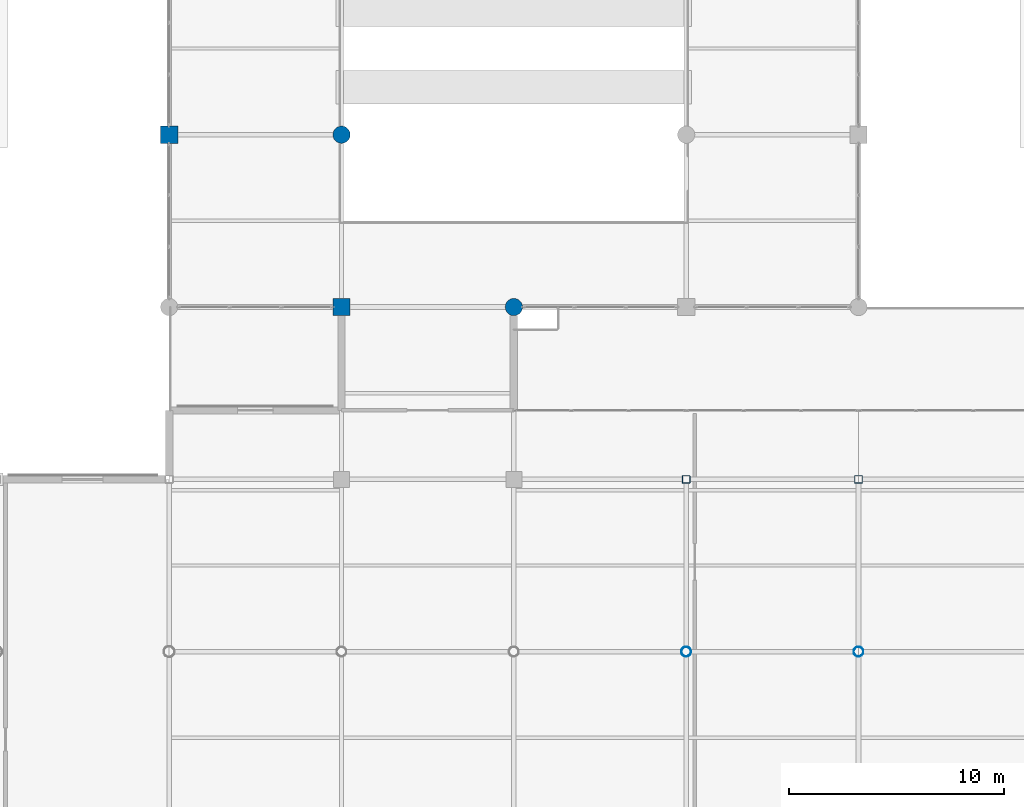
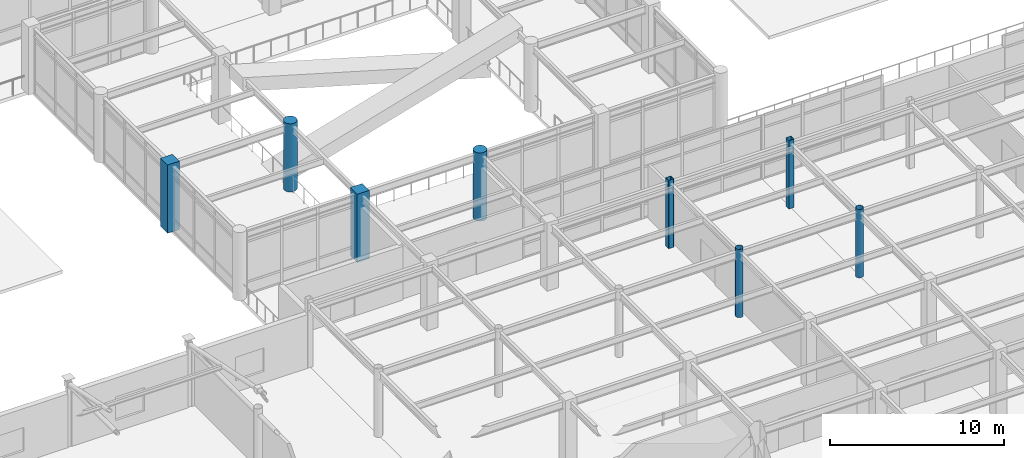
# One storey, part 8 of 117: 8 columns.
"""IFC4 building model written with IfcOpenShell, lengths in metres."""

from ifc_helpers import new_model, si_unit, direction, frame, origin, origin_2d, place, context, subcontext, project, spatial, rectangle, hollow_rectangle, circle, hollow_circle, extrude, material, material_profile, profile_set, type_object, element, save


model = new_model("IFC4")

# Units and contexts
model_context = context("Model", 3, precision=1e-05, world=origin(), true_north=direction((0.0, 1.0)))
body_context = subcontext(model_context, "Body", "Model", "MODEL_VIEW")
ifc_project = project(units=[si_unit("LENGTHUNIT", "METRE"), si_unit("AREAUNIT", "SQUARE_METRE"), si_unit("VOLUMEUNIT", "CUBIC_METRE"), si_unit("PLANEANGLEUNIT", "RADIAN"), si_unit("MASSUNIT", "GRAM", prefix="KILO")], contexts=[model_context])

# Site, building, storey
site_placement = place(None, origin())
site = spatial("IfcSite", under=ifc_project, at=site_placement, CompositionType="ELEMENT")
building_placement = place(site_placement, origin())
building = spatial("IfcBuilding", under=site, at=building_placement, Name="Solmirada Galleria", CompositionType="ELEMENT")
storey_placement = place(building_placement, frame((0.0, 0.0, 5.60009765625)))
storey = spatial("IfcBuildingStorey", under=building, at=storey_placement, Name="L01", CompositionType="ELEMENT", Elevation=5.60009765625)

# Columns
ifc_material_1 = material(Name="Steel S355 / ASTM A500 Grade C", Category="steel")
ifc_material_profile_1 = material_profile(ifc_material_1, hollow_circle(Radius=0.228515625, WallThickness=0.01171875, at=origin_2d()), Name="HSS18.000X0.500")
ifc_profile_set_1 = profile_set([ifc_material_profile_1], Name="Steel S355 / ASTM A500 Grade C")
column_type_1 = type_object("IfcColumnType", Name="COL-CHS18", PredefinedType="COLUMN", material=ifc_profile_set_1)
for number, where, z_axis, x_axis, name in (
    (1, (104.0, 32.0, 0.0), (0.0, 0.0, 1.0), (1.0, 0.0, 0.0), "Structural column L01-0725"),
    (2, (112.0, 32.0, 0.0), (0.0, 0.0, 1.0), (1.0, 0.0, 0.0), "Structural column L01-0836"),
):
    element("IfcColumn", number, at=place(storey_placement, frame(where, z_axis=z_axis, x_axis=x_axis)), inside=storey, type_object=column_type_1, Name=name, PredefinedType="COLUMN", context=body_context, shape_type="SweptSolid", body=[
        extrude(hollow_circle(Radius=0.228515625, WallThickness=0.01171875, at=origin_2d()), origin(), (0.0, 0.0, 1.0), 4.7998046875),
    ])
ifc_material_2 = material(Name="Concrete C40/50", Category="concrete")
ifc_material_profile_2 = material_profile(ifc_material_2, circle(Radius=0.39990234375, at=origin_2d()), Name="RCCOL800")
ifc_profile_set_2 = profile_set([ifc_material_profile_2], Name="Concrete C40/50")
column_type_2 = type_object("IfcColumnType", Name="COL-CIR800", PredefinedType="COLUMN", material=ifc_profile_set_2)
for number, where, z_axis, x_axis, name in (
    (3, (88.0, 56.0, 0.0), (0.0, 0.0, 1.0), (1.0, 0.0, 0.0), "Structural column L01-0521"),
    (4, (96.0, 48.0, 0.0), (0.0, 0.0, 1.0), (1.0, 0.0, 0.0), "Structural column L01-0634"),
):
    element("IfcColumn", number, at=place(storey_placement, frame(where, z_axis=z_axis, x_axis=x_axis)), inside=storey, type_object=column_type_2, Name=name, PredefinedType="COLUMN", context=body_context, shape_type="SweptSolid", body=[
        extrude(circle(Radius=0.39990234375, at=origin_2d()), origin(), (0.0, 0.0, 1.0), 4.7998046875),
    ])
ifc_material_profile_3 = material_profile(ifc_material_1, hollow_rectangle(XDim=0.35595703125, YDim=0.35595703125, WallThickness=0.01171875, InnerFilletRadius=0.01171875, OuterFilletRadius=0.023681640625, at=origin_2d()), Name="HSS14X14X1/2")
ifc_profile_set_3 = profile_set([ifc_material_profile_3], Name="Steel S355 / ASTM A500 Grade C")
column_type_3 = type_object("IfcColumnType", Name="COL-HSS14", PredefinedType="COLUMN", material=ifc_profile_set_3)
for number, where, z_axis, x_axis, name in (
    (5, (104.0, 40.0, 0.0), (0.0, 0.0, 1.0), (1.0, 0.0, 0.0), "Structural column L01-0731"),
    (6, (112.0, 40.0, 0.0), (0.0, 0.0, 1.0), (1.0, 0.0, 0.0), "Structural column L01-0843"),
):
    element("IfcColumn", number, at=place(storey_placement, frame(where, z_axis=z_axis, x_axis=x_axis)), inside=storey, type_object=column_type_3, Name=name, PredefinedType="COLUMN", context=body_context, shape_type="SweptSolid", body=[
        extrude(hollow_rectangle(XDim=0.35595703125, YDim=0.35595703125, WallThickness=0.01171875, InnerFilletRadius=0.01171875, OuterFilletRadius=0.023681640625, at=origin_2d()), origin(), (0.0, 0.0, 1.0), 4.7998046875),
    ])
ifc_material_profile_4 = material_profile(ifc_material_2, rectangle(XDim=0.800048828125, YDim=0.800048828125, at=origin_2d()), Name="RC800X800")
ifc_profile_set_4 = profile_set([ifc_material_profile_4], Name="Concrete C40/50")
column_type_4 = type_object("IfcColumnType", Name="COL-RC800", PredefinedType="COLUMN", material=ifc_profile_set_4)
for number, where, z_axis, x_axis, name in (
    (7, (80.0, 56.0, 0.0), (0.0, 0.0, 1.0), (1.0, 0.0, 0.0), "Structural column L01-0398"),
    (8, (88.0, 48.0, 0.0), (0.0, 0.0, 1.0), (1.0, 0.0, 0.0), "Structural column L01-0512"),
):
    element("IfcColumn", number, at=place(storey_placement, frame(where, z_axis=z_axis, x_axis=x_axis)), inside=storey, type_object=column_type_4, Name=name, PredefinedType="COLUMN", context=body_context, shape_type="SweptSolid", body=[
        extrude(rectangle(XDim=0.800048828125, YDim=0.800048828125, at=origin_2d()), origin(), (0.0, 0.0, 1.0), 4.7998046875),
    ])

save(model, "model.ifc")
